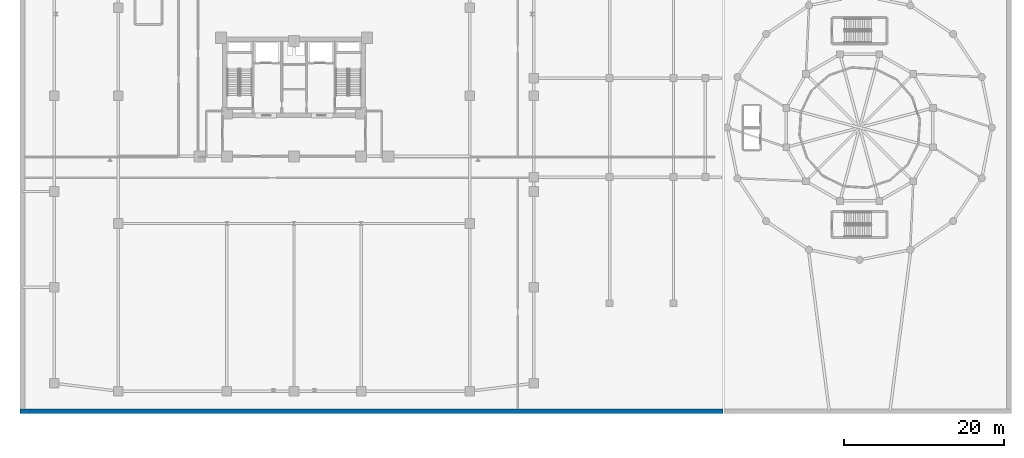
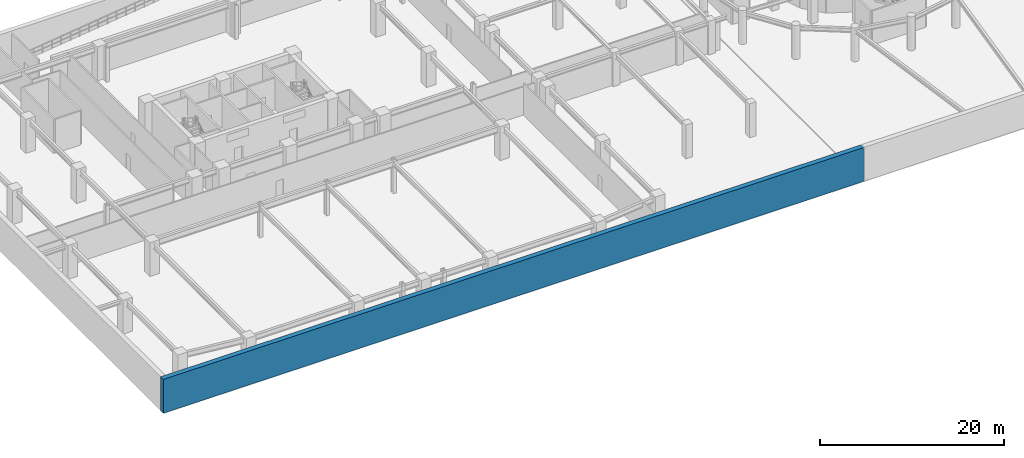
# One storey, part 6 of 15: 1 wall.
"""IFC4 building model written with IfcOpenShell, lengths in metres."""

from ifc_helpers import new_model, si_unit, derived_unit, direction, frame, frame_2d, origin, place, context, subcontext, project, spatial, rectangle, extrude, material, layer, layer_set, type_object, element, save


model = new_model("IFC4")

# Units and contexts
model_context = context("Model", 3, precision=1e-05, world=origin(), true_north=direction((0.0, 1.0)))
body_context = subcontext(model_context, "Body", "Model", "MODEL_VIEW")
ifc_project = project(units=[si_unit("LENGTHUNIT", "METRE"), si_unit("AREAUNIT", "SQUARE_METRE"), si_unit("VOLUMEUNIT", "CUBIC_METRE"), si_unit("PLANEANGLEUNIT", "RADIAN"), si_unit("MASSUNIT", "GRAM", prefix="KILO"), derived_unit("THERMALTRANSMITTANCEUNIT", [(si_unit("POWERUNIT", "WATT"), 1), (si_unit("LENGTHUNIT", "METRE"), -2), (si_unit("THERMODYNAMICTEMPERATUREUNIT", "KELVIN"), -1)])], contexts=[model_context])

# Site, building, storey
site_placement = place(None, origin())
site = spatial("IfcSite", under=ifc_project, at=site_placement, CompositionType="ELEMENT")
building_placement = place(site_placement, origin())
building = spatial("IfcBuilding", under=site, at=building_placement, Name="Korsvarv Bourse and Concert Hall", CompositionType="ELEMENT")
storey_placement = place(building_placement, frame((0.0, 0.0, -4.5)))
storey = spatial("IfcBuildingStorey", under=building, at=storey_placement, Name="B01", CompositionType="ELEMENT", Elevation=-4.5)

# Wall
ifc_material = material(Name="Concrete C50/60", Category="concrete")
ifc_layer = layer(ifc_material, 0.60009765625)
ifc_layer_set = layer_set([ifc_layer], Name="Concrete C50/60")
wall_type = type_object("IfcWallType", Name="WL-RET-600", PredefinedType="SOLIDWALL", material=ifc_layer_set)
wall_placement = place(storey_placement, frame((1.699951171875, 0.5, 0.0), z_axis=(0.0, 0.0, 1.0), x_axis=(1.0, 0.0, 0.0)))
element("IfcWall", 1, at=wall_placement, inside=storey, type_object=wall_type, Name="B01 West-Block South Basement Retaining Wall", PredefinedType="SOLIDWALL", context=body_context, shape_type="SweptSolid", body=[
    extrude(rectangle(XDim=87.97998046875, YDim=0.60009765625, at=frame_2d((43.989990234375, 0.0))), origin(), (0.0, 0.0, 1.0), 4.5),
])

save(model, "model.ifc")
